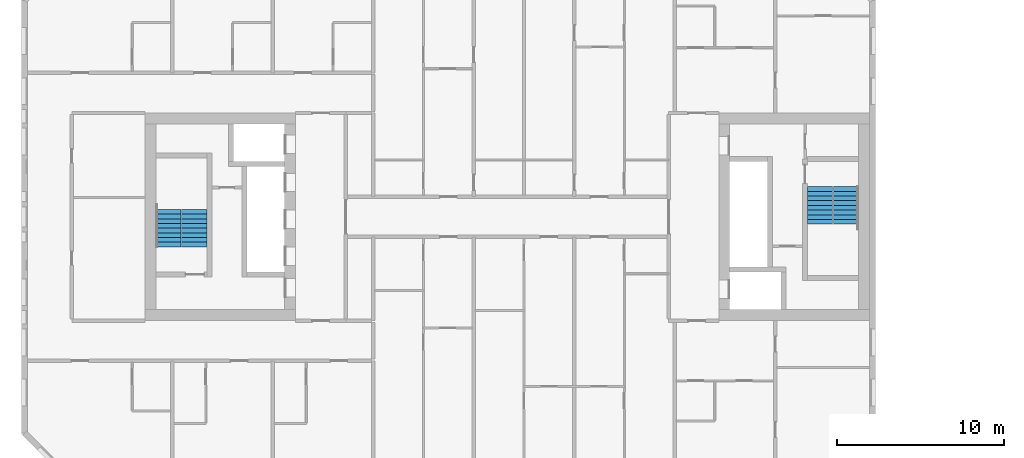
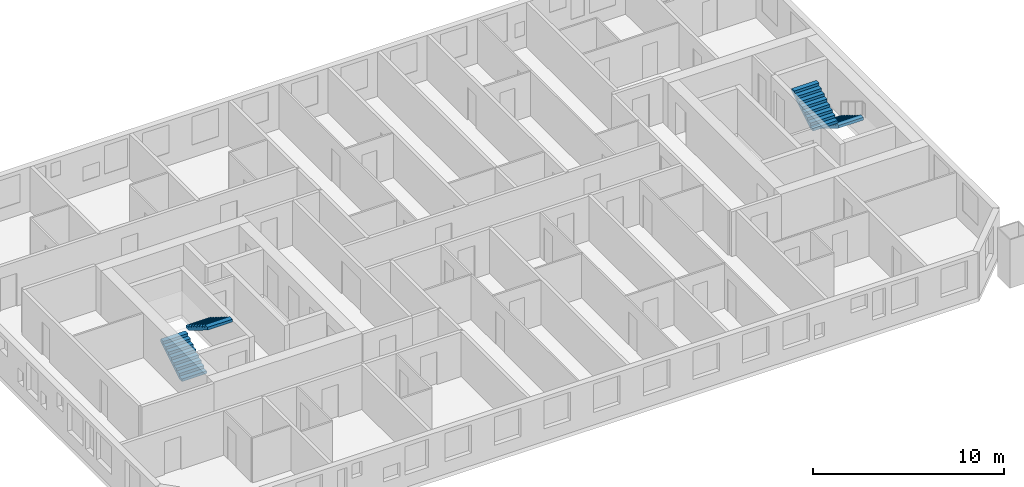
# One storey, part 16 of 17: 4 stair flights, 2 elements without a shape of their own.
"""IFC4 building model written with IfcOpenShell, lengths in metres."""

from ifc_helpers import new_model, si_unit, direction, frame, origin, place, context, subcontext, project, spatial, faceted_brep, material, type_object, element, aggregate, save


model = new_model("IFC4")

# Units and contexts
model_context = context("Model", 3, precision=1e-05, world=origin(), true_north=direction((0.0, 1.0)))
body_context = subcontext(model_context, "Body", "Model", "MODEL_VIEW")
ifc_project = project(units=[si_unit("LENGTHUNIT", "METRE"), si_unit("AREAUNIT", "SQUARE_METRE"), si_unit("VOLUMEUNIT", "CUBIC_METRE"), si_unit("PLANEANGLEUNIT", "RADIAN"), si_unit("MASSUNIT", "GRAM", prefix="KILO")], contexts=[model_context])

# Site, building, storey
site_placement = place(None, origin())
site = spatial("IfcSite", under=ifc_project, at=site_placement, CompositionType="ELEMENT")
building_placement = place(site_placement, origin())
building = spatial("IfcBuilding", under=site, at=building_placement, Name="Tuart Gate Housing", CompositionType="ELEMENT")
storey_placement = place(building_placement, frame((0.0, 0.0, 102.60009765625)))
storey = spatial("IfcBuildingStorey", under=building, at=storey_placement, Name="L28", CompositionType="ELEMENT", Elevation=102.60009765625)

# Stair, stair flights
ifc_material_1 = material(Name="Concrete C40", Category="concrete")
stair_type = type_object("IfcStairType", Name="Core stair 1500", PredefinedType="HALF_TURN_STAIR", material=ifc_material_1)
stair_1_placement = place(storey_placement, origin())
stair_1 = element("IfcStair", 1, at=stair_1_placement, inside=storey, type_object=stair_type, Name="Stair SA1", PredefinedType="HALF_TURN_STAIR")
ifc_material_2 = material(Name="Concrete C40", Category="concrete")
stair_flight_type = type_object("IfcStairFlightType", Name="Stair flight 1500, 9 risers 172 x 280", PredefinedType="STRAIGHT", material=ifc_material_2)
stair_flight_1_placement = place(storey_placement, frame((74.239990234375, 71.800048828125, 0.0), z_axis=(0.0, 0.0, 1.0), x_axis=(0.0, -1.0, 0.0)))
stair_flight_1 = element("IfcStairFlight", 2, at=stair_flight_1_placement, type_object=stair_flight_type, Name="SA1 flight 1", NumberOfRisers=9, NumberOfTreads=8, PredefinedType="STRAIGHT", RiserHeight=0.172222222, TreadLength=0.28, context=body_context, shape_type="Brep", body=[
    faceted_brep([(0.0, 0.75, 0.0), (0.0, 0.75, 0.172119140625), (0.280029296875, 0.75, 0.172119140625), (0.280029296875, 0.75, 0.344482421875), (0.56005859375, 0.75, 0.344482421875), (0.56005859375, 0.75, 0.5166015625), (0.840087890625, 0.75, 0.5166015625), (0.840087890625, 0.75, 0.68896484375), (1.1201171875, 0.75, 0.68896484375), (1.1201171875, 0.75, 0.861083984375), (1.39990234375, 0.75, 0.861083984375), (1.39990234375, 0.75, 1.033447265625), (1.679931640625, 0.75, 1.033447265625), (1.679931640625, 0.75, 1.20556640625), (1.9599609375, 0.75, 1.20556640625), (1.9599609375, 0.75, 1.377685546875), (2.239990234375, 0.75, 1.377685546875), (2.239990234375, 0.75, 1.201904296875), (0.2861328125, 0.75, 0.0), (0.2861328125, -0.75, 0.0), (2.239990234375, -0.75, 1.201904296875), (2.239990234375, -0.75, 1.377685546875), (1.9599609375, -0.75, 1.377685546875), (1.9599609375, -0.75, 1.20556640625), (1.679931640625, -0.75, 1.20556640625), (1.679931640625, -0.75, 1.033447265625), (1.39990234375, -0.75, 1.033447265625), (1.39990234375, -0.75, 0.861083984375), (1.1201171875, -0.75, 0.861083984375), (1.1201171875, -0.75, 0.68896484375), (0.840087890625, -0.75, 0.68896484375), (0.840087890625, -0.75, 0.5166015625), (0.56005859375, -0.75, 0.5166015625), (0.56005859375, -0.75, 0.344482421875), (0.280029296875, -0.75, 0.344482421875), (0.280029296875, -0.75, 0.172119140625), (0.0, -0.75, 0.172119140625), (0.0, -0.75, 0.0), (2.239990234375, 0.0, 1.201904296875), (0.2861328125, 0.0, 0.0), (2.239990234375, 0.0, 1.377685546875), (1.9599609375, 0.0, 1.377685546875), (1.9599609375, 0.0, 1.20556640625), (1.679931640625, 0.0, 1.20556640625), (1.679931640625, 0.0, 1.033447265625), (1.39990234375, 0.0, 1.033447265625), (1.39990234375, 0.0, 0.861083984375), (1.1201171875, 0.0, 0.861083984375), (1.1201171875, 0.0, 0.68896484375), (0.840087890625, 0.0, 0.68896484375), (0.840087890625, 0.0, 0.5166015625), (0.56005859375, 0.0, 0.5166015625), (0.56005859375, 0.0, 0.344482421875), (0.280029296875, 0.0, 0.344482421875), (0.280029296875, 0.0, 0.172119140625), (0.0, 0.0, 0.172119140625), (0.0, 0.0, 0.0)], [[[0, 1, 2, 3, 4, 5, 6, 7, 8, 9, 10, 11, 12, 13, 14, 15, 16, 17, 18]], [[19, 20, 21, 22, 23, 24, 25, 26, 27, 28, 29, 30, 31, 32, 33, 34, 35, 36, 37]], [[18, 17, 38, 39]], [[39, 38, 20, 19]], [[17, 16, 40, 38]], [[38, 40, 21, 20]], [[16, 15, 41, 40]], [[40, 41, 22, 21]], [[15, 14, 42, 41]], [[41, 42, 23, 22]], [[14, 13, 43, 42]], [[42, 43, 24, 23]], [[13, 12, 44, 43]], [[43, 44, 25, 24]], [[12, 11, 45, 44]], [[44, 45, 26, 25]], [[11, 10, 46, 45]], [[45, 46, 27, 26]], [[10, 9, 47, 46]], [[46, 47, 28, 27]], [[9, 8, 48, 47]], [[47, 48, 29, 28]], [[8, 7, 49, 48]], [[48, 49, 30, 29]], [[7, 6, 50, 49]], [[49, 50, 31, 30]], [[6, 5, 51, 50]], [[50, 51, 32, 31]], [[5, 4, 52, 51]], [[51, 52, 33, 32]], [[4, 3, 53, 52]], [[52, 53, 34, 33]], [[3, 2, 54, 53]], [[53, 54, 35, 34]], [[2, 1, 55, 54]], [[54, 55, 36, 35]], [[1, 0, 56, 55]], [[55, 56, 37, 36]], [[0, 18, 39, 56]], [[56, 39, 19, 37]]]),
])
stair_flight_2_placement = place(storey_placement, frame((72.68994140625, 69.56005859375, 1.5498046875), z_axis=(0.0, 0.0, 1.0), x_axis=(0.0, 1.0, 0.0)))
stair_flight_2 = element("IfcStairFlight", 3, at=stair_flight_2_placement, type_object=stair_flight_type, Name="SA1 flight 2", NumberOfRisers=9, NumberOfTreads=8, PredefinedType="STRAIGHT", RiserHeight=0.172222222, TreadLength=0.28, context=body_context, shape_type="Brep", body=[
    faceted_brep([(0.0, 0.75, 0.0), (0.0, 0.75, 0.172119140625), (0.280029296875, 0.75, 0.172119140625), (0.280029296875, 0.75, 0.344482421875), (0.56005859375, 0.75, 0.344482421875), (0.56005859375, 0.75, 0.5166015625), (0.840087890625, 0.75, 0.5166015625), (0.840087890625, 0.75, 0.68896484375), (1.1201171875, 0.75, 0.68896484375), (1.1201171875, 0.75, 0.861083984375), (1.39990234375, 0.75, 0.861083984375), (1.39990234375, 0.75, 1.033447265625), (1.679931640625, 0.75, 1.033447265625), (1.679931640625, 0.75, 1.20556640625), (1.9599609375, 0.75, 1.20556640625), (1.9599609375, 0.75, 1.377685546875), (2.239990234375, 0.75, 1.377685546875), (2.239990234375, 0.75, 1.201904296875), (0.2861328125, 0.75, 0.0), (0.2861328125, -0.75, 0.0), (2.239990234375, -0.75, 1.201904296875), (2.239990234375, -0.75, 1.377685546875), (1.9599609375, -0.75, 1.377685546875), (1.9599609375, -0.75, 1.20556640625), (1.679931640625, -0.75, 1.20556640625), (1.679931640625, -0.75, 1.033447265625), (1.39990234375, -0.75, 1.033447265625), (1.39990234375, -0.75, 0.861083984375), (1.1201171875, -0.75, 0.861083984375), (1.1201171875, -0.75, 0.68896484375), (0.840087890625, -0.75, 0.68896484375), (0.840087890625, -0.75, 0.5166015625), (0.56005859375, -0.75, 0.5166015625), (0.56005859375, -0.75, 0.344482421875), (0.280029296875, -0.75, 0.344482421875), (0.280029296875, -0.75, 0.172119140625), (0.0, -0.75, 0.172119140625), (0.0, -0.75, 0.0), (2.239990234375, 0.0, 1.201904296875), (0.2861328125, 0.0, 0.0), (2.239990234375, 0.0, 1.377685546875), (1.9599609375, 0.0, 1.377685546875), (1.9599609375, 0.0, 1.20556640625), (1.679931640625, 0.0, 1.20556640625), (1.679931640625, 0.0, 1.033447265625), (1.39990234375, 0.0, 1.033447265625), (1.39990234375, 0.0, 0.861083984375), (1.1201171875, 0.0, 0.861083984375), (1.1201171875, 0.0, 0.68896484375), (0.840087890625, 0.0, 0.68896484375), (0.840087890625, 0.0, 0.5166015625), (0.56005859375, 0.0, 0.5166015625), (0.56005859375, 0.0, 0.344482421875), (0.280029296875, 0.0, 0.344482421875), (0.280029296875, 0.0, 0.172119140625), (0.0, 0.0, 0.172119140625), (0.0, 0.0, 0.0)], [[[0, 1, 2, 3, 4, 5, 6, 7, 8, 9, 10, 11, 12, 13, 14, 15, 16, 17, 18]], [[19, 20, 21, 22, 23, 24, 25, 26, 27, 28, 29, 30, 31, 32, 33, 34, 35, 36, 37]], [[18, 17, 38, 39]], [[39, 38, 20, 19]], [[17, 16, 40, 38]], [[38, 40, 21, 20]], [[16, 15, 41, 40]], [[40, 41, 22, 21]], [[15, 14, 42, 41]], [[41, 42, 23, 22]], [[14, 13, 43, 42]], [[42, 43, 24, 23]], [[13, 12, 44, 43]], [[43, 44, 25, 24]], [[12, 11, 45, 44]], [[44, 45, 26, 25]], [[11, 10, 46, 45]], [[45, 46, 27, 26]], [[10, 9, 47, 46]], [[46, 47, 28, 27]], [[9, 8, 48, 47]], [[47, 48, 29, 28]], [[8, 7, 49, 48]], [[48, 49, 30, 29]], [[7, 6, 50, 49]], [[49, 50, 31, 30]], [[6, 5, 51, 50]], [[50, 51, 32, 31]], [[5, 4, 52, 51]], [[51, 52, 33, 32]], [[4, 3, 53, 52]], [[52, 53, 34, 33]], [[3, 2, 54, 53]], [[53, 54, 35, 34]], [[2, 1, 55, 54]], [[54, 55, 36, 35]], [[1, 0, 56, 55]], [[55, 56, 37, 36]], [[0, 18, 39, 56]], [[56, 39, 19, 37]]]),
])
aggregate(stair_1, [stair_flight_1, stair_flight_2])

stair_2_placement = place(storey_placement, origin())
stair_2 = element("IfcStair", 4, at=stair_2_placement, inside=storey, type_object=stair_type, Name="Stair SA2", PredefinedType="HALF_TURN_STAIR")
stair_flight_3_placement = place(storey_placement, frame((33.760009765625, 68.199951171875, 0.0), z_axis=(0.0, 0.0, 1.0), x_axis=(0.0, 1.0, 0.0)))
stair_flight_3 = element("IfcStairFlight", 5, at=stair_flight_3_placement, type_object=stair_flight_type, Name="SA2 flight 1", NumberOfRisers=9, NumberOfTreads=8, PredefinedType="STRAIGHT", RiserHeight=0.172222222, TreadLength=0.28, context=body_context, shape_type="Brep", body=[
    faceted_brep([(0.0, 0.75, 0.0), (0.0, 0.75, 0.172119140625), (0.280029296875, 0.75, 0.172119140625), (0.280029296875, 0.75, 0.344482421875), (0.56005859375, 0.75, 0.344482421875), (0.56005859375, 0.75, 0.5166015625), (0.840087890625, 0.75, 0.5166015625), (0.840087890625, 0.75, 0.68896484375), (1.1201171875, 0.75, 0.68896484375), (1.1201171875, 0.75, 0.861083984375), (1.39990234375, 0.75, 0.861083984375), (1.39990234375, 0.75, 1.033447265625), (1.679931640625, 0.75, 1.033447265625), (1.679931640625, 0.75, 1.20556640625), (1.9599609375, 0.75, 1.20556640625), (1.9599609375, 0.75, 1.377685546875), (2.239990234375, 0.75, 1.377685546875), (2.239990234375, 0.75, 1.201904296875), (0.2861328125, 0.75, 0.0), (0.2861328125, -0.75, 0.0), (2.239990234375, -0.75, 1.201904296875), (2.239990234375, -0.75, 1.377685546875), (1.9599609375, -0.75, 1.377685546875), (1.9599609375, -0.75, 1.20556640625), (1.679931640625, -0.75, 1.20556640625), (1.679931640625, -0.75, 1.033447265625), (1.39990234375, -0.75, 1.033447265625), (1.39990234375, -0.75, 0.861083984375), (1.1201171875, -0.75, 0.861083984375), (1.1201171875, -0.75, 0.68896484375), (0.840087890625, -0.75, 0.68896484375), (0.840087890625, -0.75, 0.5166015625), (0.56005859375, -0.75, 0.5166015625), (0.56005859375, -0.75, 0.344482421875), (0.280029296875, -0.75, 0.344482421875), (0.280029296875, -0.75, 0.172119140625), (0.0, -0.75, 0.172119140625), (0.0, -0.75, 0.0), (2.239990234375, 0.0, 1.201904296875), (0.2861328125, 0.0, 0.0), (2.239990234375, 0.0, 1.377685546875), (1.9599609375, 0.0, 1.377685546875), (1.9599609375, 0.0, 1.20556640625), (1.679931640625, 0.0, 1.20556640625), (1.679931640625, 0.0, 1.033447265625), (1.39990234375, 0.0, 1.033447265625), (1.39990234375, 0.0, 0.861083984375), (1.1201171875, 0.0, 0.861083984375), (1.1201171875, 0.0, 0.68896484375), (0.840087890625, 0.0, 0.68896484375), (0.840087890625, 0.0, 0.5166015625), (0.56005859375, 0.0, 0.5166015625), (0.56005859375, 0.0, 0.344482421875), (0.280029296875, 0.0, 0.344482421875), (0.280029296875, 0.0, 0.172119140625), (0.0, 0.0, 0.172119140625), (0.0, 0.0, 0.0)], [[[0, 1, 2, 3, 4, 5, 6, 7, 8, 9, 10, 11, 12, 13, 14, 15, 16, 17, 18]], [[19, 20, 21, 22, 23, 24, 25, 26, 27, 28, 29, 30, 31, 32, 33, 34, 35, 36, 37]], [[18, 17, 38, 39]], [[39, 38, 20, 19]], [[17, 16, 40, 38]], [[38, 40, 21, 20]], [[16, 15, 41, 40]], [[40, 41, 22, 21]], [[15, 14, 42, 41]], [[41, 42, 23, 22]], [[14, 13, 43, 42]], [[42, 43, 24, 23]], [[13, 12, 44, 43]], [[43, 44, 25, 24]], [[12, 11, 45, 44]], [[44, 45, 26, 25]], [[11, 10, 46, 45]], [[45, 46, 27, 26]], [[10, 9, 47, 46]], [[46, 47, 28, 27]], [[9, 8, 48, 47]], [[47, 48, 29, 28]], [[8, 7, 49, 48]], [[48, 49, 30, 29]], [[7, 6, 50, 49]], [[49, 50, 31, 30]], [[6, 5, 51, 50]], [[50, 51, 32, 31]], [[5, 4, 52, 51]], [[51, 52, 33, 32]], [[4, 3, 53, 52]], [[52, 53, 34, 33]], [[3, 2, 54, 53]], [[53, 54, 35, 34]], [[2, 1, 55, 54]], [[54, 55, 36, 35]], [[1, 0, 56, 55]], [[55, 56, 37, 36]], [[0, 18, 39, 56]], [[56, 39, 19, 37]]]),
])
stair_flight_4_placement = place(storey_placement, frame((35.31005859375, 70.43994140625, 1.5498046875), z_axis=(0.0, 0.0, 1.0), x_axis=(0.0, -1.0, 0.0)))
stair_flight_4 = element("IfcStairFlight", 6, at=stair_flight_4_placement, type_object=stair_flight_type, Name="SA2 flight 2", NumberOfRisers=9, NumberOfTreads=8, PredefinedType="STRAIGHT", RiserHeight=0.172222222, TreadLength=0.28, context=body_context, shape_type="Brep", body=[
    faceted_brep([(0.0, 0.75, 0.0), (0.0, 0.75, 0.172119140625), (0.280029296875, 0.75, 0.172119140625), (0.280029296875, 0.75, 0.344482421875), (0.56005859375, 0.75, 0.344482421875), (0.56005859375, 0.75, 0.5166015625), (0.840087890625, 0.75, 0.5166015625), (0.840087890625, 0.75, 0.68896484375), (1.1201171875, 0.75, 0.68896484375), (1.1201171875, 0.75, 0.861083984375), (1.39990234375, 0.75, 0.861083984375), (1.39990234375, 0.75, 1.033447265625), (1.679931640625, 0.75, 1.033447265625), (1.679931640625, 0.75, 1.20556640625), (1.9599609375, 0.75, 1.20556640625), (1.9599609375, 0.75, 1.377685546875), (2.239990234375, 0.75, 1.377685546875), (2.239990234375, 0.75, 1.201904296875), (0.2861328125, 0.75, 0.0), (0.2861328125, -0.75, 0.0), (2.239990234375, -0.75, 1.201904296875), (2.239990234375, -0.75, 1.377685546875), (1.9599609375, -0.75, 1.377685546875), (1.9599609375, -0.75, 1.20556640625), (1.679931640625, -0.75, 1.20556640625), (1.679931640625, -0.75, 1.033447265625), (1.39990234375, -0.75, 1.033447265625), (1.39990234375, -0.75, 0.861083984375), (1.1201171875, -0.75, 0.861083984375), (1.1201171875, -0.75, 0.68896484375), (0.840087890625, -0.75, 0.68896484375), (0.840087890625, -0.75, 0.5166015625), (0.56005859375, -0.75, 0.5166015625), (0.56005859375, -0.75, 0.344482421875), (0.280029296875, -0.75, 0.344482421875), (0.280029296875, -0.75, 0.172119140625), (0.0, -0.75, 0.172119140625), (0.0, -0.75, 0.0), (2.239990234375, 0.0, 1.201904296875), (0.2861328125, 0.0, 0.0), (2.239990234375, 0.0, 1.377685546875), (1.9599609375, 0.0, 1.377685546875), (1.9599609375, 0.0, 1.20556640625), (1.679931640625, 0.0, 1.20556640625), (1.679931640625, 0.0, 1.033447265625), (1.39990234375, 0.0, 1.033447265625), (1.39990234375, 0.0, 0.861083984375), (1.1201171875, 0.0, 0.861083984375), (1.1201171875, 0.0, 0.68896484375), (0.840087890625, 0.0, 0.68896484375), (0.840087890625, 0.0, 0.5166015625), (0.56005859375, 0.0, 0.5166015625), (0.56005859375, 0.0, 0.344482421875), (0.280029296875, 0.0, 0.344482421875), (0.280029296875, 0.0, 0.172119140625), (0.0, 0.0, 0.172119140625), (0.0, 0.0, 0.0)], [[[0, 1, 2, 3, 4, 5, 6, 7, 8, 9, 10, 11, 12, 13, 14, 15, 16, 17, 18]], [[19, 20, 21, 22, 23, 24, 25, 26, 27, 28, 29, 30, 31, 32, 33, 34, 35, 36, 37]], [[18, 17, 38, 39]], [[39, 38, 20, 19]], [[17, 16, 40, 38]], [[38, 40, 21, 20]], [[16, 15, 41, 40]], [[40, 41, 22, 21]], [[15, 14, 42, 41]], [[41, 42, 23, 22]], [[14, 13, 43, 42]], [[42, 43, 24, 23]], [[13, 12, 44, 43]], [[43, 44, 25, 24]], [[12, 11, 45, 44]], [[44, 45, 26, 25]], [[11, 10, 46, 45]], [[45, 46, 27, 26]], [[10, 9, 47, 46]], [[46, 47, 28, 27]], [[9, 8, 48, 47]], [[47, 48, 29, 28]], [[8, 7, 49, 48]], [[48, 49, 30, 29]], [[7, 6, 50, 49]], [[49, 50, 31, 30]], [[6, 5, 51, 50]], [[50, 51, 32, 31]], [[5, 4, 52, 51]], [[51, 52, 33, 32]], [[4, 3, 53, 52]], [[52, 53, 34, 33]], [[3, 2, 54, 53]], [[53, 54, 35, 34]], [[2, 1, 55, 54]], [[54, 55, 36, 35]], [[1, 0, 56, 55]], [[55, 56, 37, 36]], [[0, 18, 39, 56]], [[56, 39, 19, 37]]]),
])
aggregate(stair_2, [stair_flight_3, stair_flight_4])

save(model, "model.ifc")
